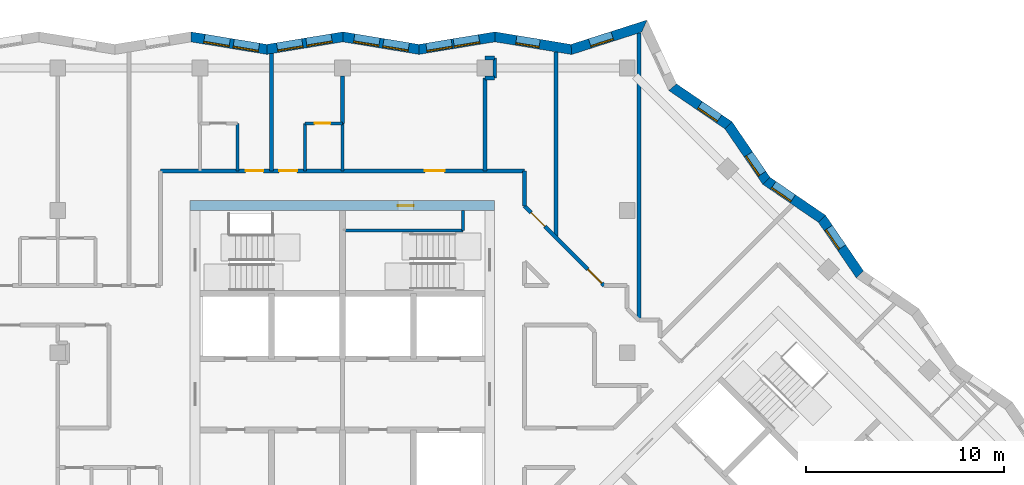
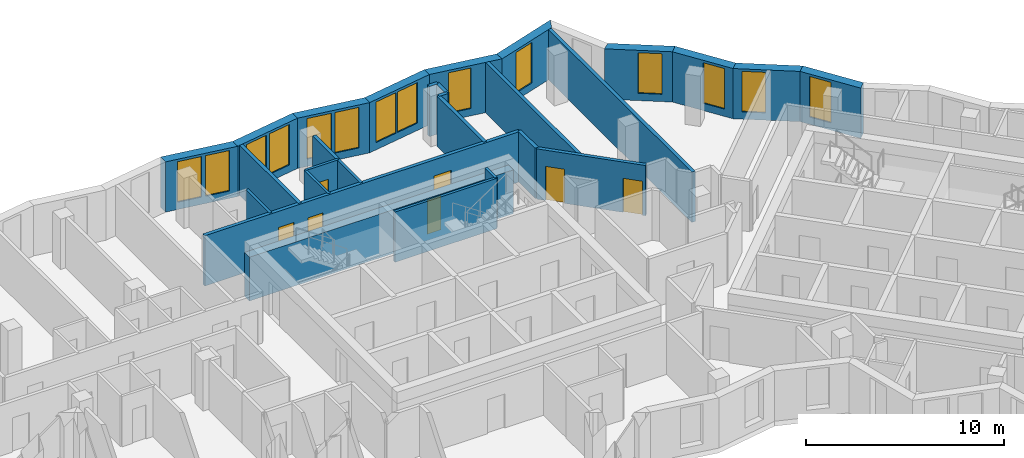
# One storey, part 7 of 12: 28 walls, 14 windows, 7 doors, 21 openings.
"""IFC4 building model written with IfcOpenShell, lengths in metres."""

from ifc_helpers import new_model, si_unit, direction, frame, frame_2d, origin, place, context, subcontext, project, spatial, polyline, rectangle, outline, extrude, material, layer, layer_set, type_object, element, fill, save


model = new_model("IFC4")

# Units and contexts
model_context = context("Model", 3, precision=1e-05, world=origin(), true_north=direction((0.0, 1.0)))
body_context = subcontext(model_context, "Body", "Model", "MODEL_VIEW")
ifc_project = project(units=[si_unit("LENGTHUNIT", "METRE"), si_unit("AREAUNIT", "SQUARE_METRE"), si_unit("VOLUMEUNIT", "CUBIC_METRE"), si_unit("PLANEANGLEUNIT", "RADIAN"), si_unit("MASSUNIT", "GRAM", prefix="KILO")], contexts=[model_context])

# Site, building, storey
site_placement = place(None, origin())
site = spatial("IfcSite", under=ifc_project, at=site_placement, CompositionType="ELEMENT")
building_placement = place(site_placement, origin())
building = spatial("IfcBuilding", under=site, at=building_placement, Name="Windrow Commons", CompositionType="ELEMENT")
storey_placement = place(building_placement, frame((0.0, 0.0, 227.0)))
storey = spatial("IfcBuildingStorey", under=building, at=storey_placement, Name="L62", CompositionType="ELEMENT", Elevation=227.0)

# Wall, opening, window
ifc_material_1 = material(Name="Brick masonry, red clay brick", Category="masonry")
ifc_layer_1 = layer(ifc_material_1, 0.5)
ifc_layer_set_1 = layer_set([ifc_layer_1], Name="Brick facade wall 500")
wall_type_1 = type_object("IfcWallType", Name="Brick facade wall 500", PredefinedType="SOLIDWALL", material=ifc_layer_set_1)
wall_1_placement = place(storey_placement, frame((90.9664, 61.5709, 0.0), z_axis=(0.0, 0.0, 1.0), x_axis=(-0.5638295531, 0.8258911763, 0.0)))
wall_1 = element("IfcWall", 1, at=wall_1_placement, inside=storey, type_object=wall_type_1, Name="Brick facade wall L62 12", PredefinedType="SOLIDWALL", context=body_context, shape_type="SweptSolid", body=[
    extrude(outline(polyline([(0.0471, -0.25), (3.4471, -0.25), (3.3528, 0.25), (-0.0471, 0.25), (0.0471, -0.25)])), origin(), (0.0, 0.0, 1.0), 3.1),
])
opening_1_placement = place(wall_1_placement, frame((1.6351, 0.0, 0.45)))
opening_1 = element("IfcOpeningElement", 2, at=opening_1_placement, cuts=wall_1, Name="Opening W7E", PredefinedType="OPENING", context=body_context, shape_type="SweptSolid", body=[
    extrude(rectangle(XDim=1.2, YDim=2.5, at=frame_2d((0.6, 1.25))), frame((0.0, 0.26, 0.0), z_axis=(0.0, -1.0, 0.0), x_axis=(1.0, 0.0, 0.0)), (0.0, 0.0, 1.0), 0.52),
])
ifc_material_2 = material(Name="Clear float glass in anodised aluminium frame", Category="aluminium")
window_type_1 = type_object("IfcWindowType", Name="Window W7 notch 1200x2500", PartitioningType="SINGLE_PANEL", PredefinedType="WINDOW", material=ifc_material_2)
window_1_placement = place(opening_1_placement, origin())
window_1 = element("IfcWindow", 3, at=window_1_placement, inside=storey, type_object=window_type_1, Name="Window L62 12.1", OverallHeight=2.5, OverallWidth=1.2, PartitioningType="SINGLE_PANEL", PredefinedType="WINDOW", context=body_context, shape_type="SweptSolid", body=[
    extrude(rectangle(XDim=1.2, YDim=2.5, at=frame_2d((0.6, 1.25))), frame((0.0, 0.18, 0.0), z_axis=(0.0, -1.0, 0.0), x_axis=(1.0, 0.0, 0.0)), (0.0, 0.0, 1.0), 0.06),
])
fill(opening_1, window_1)

wall_2_placement = place(storey_placement, frame((89.0494, 64.3789, 0.0), z_axis=(0.0, 0.0, 1.0), x_axis=(-0.8258911763, 0.5638295531, 0.0)))
wall_2 = element("IfcWall", 4, at=wall_2_placement, inside=storey, type_object=wall_type_1, Name="Brick facade wall L62 13", PredefinedType="SOLIDWALL", context=body_context, shape_type="SweptSolid", body=[
    extrude(outline(polyline([(-0.0471, -0.25), (3.3528, -0.25), (3.4471, 0.25), (0.0471, 0.25), (-0.0471, -0.25)])), origin(), (0.0, 0.0, 1.0), 3.1),
])
opening_2_placement = place(wall_2_placement, frame((1.7904, 0.0, 0.45)))
opening_2 = element("IfcOpeningElement", 5, at=opening_2_placement, cuts=wall_2, Name="Opening W7E", PredefinedType="OPENING", context=body_context, shape_type="SweptSolid", body=[
    extrude(rectangle(XDim=1.2, YDim=2.5, at=frame_2d((0.6, 1.25))), frame((0.0, 0.26, 0.0), z_axis=(0.0, -1.0, 0.0), x_axis=(1.0, 0.0, 0.0)), (0.0, 0.0, 1.0), 0.52),
])
window_2_placement = place(opening_2_placement, origin())
window_2 = element("IfcWindow", 6, at=window_2_placement, inside=storey, type_object=window_type_1, Name="Window L62 13.1", OverallHeight=2.5, OverallWidth=1.2, PartitioningType="SINGLE_PANEL", PredefinedType="WINDOW", context=body_context, shape_type="SweptSolid", body=[
    extrude(rectangle(XDim=1.2, YDim=2.5, at=frame_2d((0.6, 1.25))), frame((0.0, 0.18, 0.0), z_axis=(0.0, -1.0, 0.0), x_axis=(1.0, 0.0, 0.0)), (0.0, 0.0, 1.0), 0.06),
])
fill(opening_2, window_2)

wall_3_placement = place(storey_placement, frame((86.2414, 66.2959, 0.0), z_axis=(0.0, 0.0, 1.0), x_axis=(-0.5638295531, 0.8258911763, 0.0)))
wall_3 = element("IfcWall", 7, at=wall_3_placement, inside=storey, type_object=wall_type_1, Name="Brick facade wall L62 14", PredefinedType="SOLIDWALL", context=body_context, shape_type="SweptSolid", body=[
    extrude(outline(polyline([(0.0471, -0.25), (3.4471, -0.25), (3.3528, 0.25), (-0.0471, 0.25), (0.0471, -0.25)])), origin(), (0.0, 0.0, 1.0), 3.1),
])
opening_3_placement = place(wall_3_placement, frame((0.4222, 0.0, 0.45)))
opening_3 = element("IfcOpeningElement", 8, at=opening_3_placement, cuts=wall_3, Name="Opening W7E", PredefinedType="OPENING", context=body_context, shape_type="SweptSolid", body=[
    extrude(rectangle(XDim=1.2, YDim=2.5, at=frame_2d((0.6, 1.25))), frame((0.0, 0.26, 0.0), z_axis=(0.0, -1.0, 0.0), x_axis=(1.0, 0.0, 0.0)), (0.0, 0.0, 1.0), 0.52),
])
window_3_placement = place(opening_3_placement, origin())
window_3 = element("IfcWindow", 9, at=window_3_placement, inside=storey, type_object=window_type_1, Name="Window L62 14.1", OverallHeight=2.5, OverallWidth=1.2, PartitioningType="SINGLE_PANEL", PredefinedType="WINDOW", context=body_context, shape_type="SweptSolid", body=[
    extrude(rectangle(XDim=1.2, YDim=2.5, at=frame_2d((0.6, 1.25))), frame((0.0, 0.18, 0.0), z_axis=(0.0, -1.0, 0.0), x_axis=(1.0, 0.0, 0.0)), (0.0, 0.0, 1.0), 0.06),
])
fill(opening_3, window_3)

wall_4_placement = place(storey_placement, frame((84.3244, 69.1039, 0.0), z_axis=(0.0, 0.0, 1.0), x_axis=(-0.8258988964, 0.5638182445, 0.0)))
wall_4 = element("IfcWall", 10, at=wall_4_placement, inside=storey, type_object=wall_type_1, Name="Brick facade wall L62 15", PredefinedType="SOLIDWALL", context=body_context, shape_type="SweptSolid", body=[
    extrude(outline(polyline([(-0.0471, -0.25), (3.3528, -0.25), (3.491, 0.25), (0.0471, 0.25), (-0.0471, -0.25)])), origin(), (0.0, 0.0, 1.0), 3.1),
])
opening_4_placement = place(wall_4_placement, frame((0.5775, 0.0, 0.45)))
opening_4 = element("IfcOpeningElement", 11, at=opening_4_placement, cuts=wall_4, Name="Opening W7E", PredefinedType="OPENING", context=body_context, shape_type="SweptSolid", body=[
    extrude(rectangle(XDim=1.2, YDim=2.5, at=frame_2d((0.6, 1.25))), frame((0.0, 0.26, 0.0), z_axis=(0.0, -1.0, 0.0), x_axis=(1.0, 0.0, 0.0)), (0.0, 0.0, 1.0), 0.52),
])
window_4_placement = place(opening_4_placement, origin())
window_4 = element("IfcWindow", 12, at=window_4_placement, inside=storey, type_object=window_type_1, Name="Window L62 15.1", OverallHeight=2.5, OverallWidth=1.2, PartitioningType="SINGLE_PANEL", PredefinedType="WINDOW", context=body_context, shape_type="SweptSolid", body=[
    extrude(rectangle(XDim=1.2, YDim=2.5, at=frame_2d((0.6, 1.25))), frame((0.0, 0.18, 0.0), z_axis=(0.0, -1.0, 0.0), x_axis=(1.0, 0.0, 0.0)), (0.0, 0.0, 1.0), 0.06),
])
fill(opening_4, window_4)

wall_5_placement = place(storey_placement, frame((80.0693, 74.1274, 0.0), z_axis=(0.0, 0.0, 1.0), x_axis=(-0.9522470121, -0.3053287213, 0.0)))
wall_5 = element("IfcWall", 13, at=wall_5_placement, inside=storey, type_object=wall_type_1, Name="Brick facade wall L62 17", PredefinedType="SOLIDWALL", context=body_context, shape_type="SweptSolid", body=[
    extrude(outline(polyline([(-0.2211, -0.25), (3.8172, -0.25), (3.9378, 0.25), (0.2211, 0.25), (-0.2211, -0.25)])), origin(), (0.0, 0.0, 1.0), 3.1),
])
opening_5_placement = place(wall_5_placement, frame((1.6952, 0.0, 0.45)))
opening_5 = element("IfcOpeningElement", 14, at=opening_5_placement, cuts=wall_5, Name="Opening W7E", PredefinedType="OPENING", context=body_context, shape_type="SweptSolid", body=[
    extrude(rectangle(XDim=1.2, YDim=2.5, at=frame_2d((0.6, 1.25))), frame((0.0, 0.26, 0.0), z_axis=(0.0, -1.0, 0.0), x_axis=(1.0, 0.0, 0.0)), (0.0, 0.0, 1.0), 0.52),
])
window_5_placement = place(opening_5_placement, origin())
window_5 = element("IfcWindow", 15, at=window_5_placement, inside=storey, type_object=window_type_1, Name="Window L62 17.1", OverallHeight=2.5, OverallWidth=1.2, PartitioningType="SINGLE_PANEL", PredefinedType="WINDOW", context=body_context, shape_type="SweptSolid", body=[
    extrude(rectangle(XDim=1.2, YDim=2.5, at=frame_2d((0.6, 1.25))), frame((0.0, 0.18, 0.0), z_axis=(0.0, -1.0, 0.0), x_axis=(1.0, 0.0, 0.0)), (0.0, 0.0, 1.0), 0.06),
])
fill(opening_5, window_5)

wall_6_placement = place(storey_placement, frame((76.377, 72.9435, 0.0), z_axis=(0.0, 0.0, 1.0), x_axis=(-0.9867218052, 0.1624194546, 0.0)))
wall_6 = element("IfcWall", 16, at=wall_6_placement, inside=storey, type_object=wall_type_1, Name="Brick facade wall L62 18", PredefinedType="SOLIDWALL", context=body_context, shape_type="SweptSolid", body=[
    extrude(outline(polyline([(0.0603, -0.25), (3.9575, -0.25), (3.8752, 0.25), (-0.0603, 0.25), (0.0603, -0.25)])), origin(), (0.0, 0.0, 1.0), 3.1),
])
opening_6_placement = place(wall_6_placement, frame((1.6313, 0.0, 0.45)))
opening_6 = element("IfcOpeningElement", 17, at=opening_6_placement, cuts=wall_6, Name="Opening W7E", PredefinedType="OPENING", context=body_context, shape_type="SweptSolid", body=[
    extrude(rectangle(XDim=1.2, YDim=2.5, at=frame_2d((0.6, 1.25))), frame((0.0, 0.26, 0.0), z_axis=(0.0, -1.0, 0.0), x_axis=(1.0, 0.0, 0.0)), (0.0, 0.0, 1.0), 0.52),
])
window_6_placement = place(opening_6_placement, origin())
window_6 = element("IfcWindow", 18, at=window_6_placement, inside=storey, type_object=window_type_1, Name="Window L62 18.1", OverallHeight=2.5, OverallWidth=1.2, PartitioningType="SINGLE_PANEL", PredefinedType="WINDOW", context=body_context, shape_type="SweptSolid", body=[
    extrude(rectangle(XDim=1.2, YDim=2.5, at=frame_2d((0.6, 1.25))), frame((0.0, 0.18, 0.0), z_axis=(0.0, -1.0, 0.0), x_axis=(1.0, 0.0, 0.0)), (0.0, 0.0, 1.0), 0.06),
])
fill(opening_6, window_6)

# Wall, openings, windows
wall_7_placement = place(storey_placement, frame((72.5126, 73.5796, 0.0), z_axis=(0.0, 0.0, 1.0), x_axis=(-0.9867206744, -0.1624263241, 0.0)))
wall_7 = element("IfcWall", 19, at=wall_7_placement, inside=storey, type_object=wall_type_1, Name="Brick facade wall L62 19", PredefinedType="SOLIDWALL", context=body_context, shape_type="SweptSolid", body=[
    extrude(outline(polyline([(-0.0412, -0.25), (3.8561, -0.25), (3.9384, 0.25), (0.0412, 0.25), (-0.0412, -0.25)])), origin(), (0.0, 0.0, 1.0), 3.1),
])
opening_7_placement = place(wall_7_placement, frame((0.8084, 0.0, 0.45)))
opening_7 = element("IfcOpeningElement", 20, at=opening_7_placement, cuts=wall_7, Name="Opening W1Q", PredefinedType="OPENING", context=body_context, shape_type="SweptSolid", body=[
    extrude(rectangle(XDim=1.3, YDim=2.5, at=frame_2d((0.65, 1.25))), frame((0.0, 0.26, 0.0), z_axis=(0.0, -1.0, 0.0), x_axis=(1.0, 0.0, 0.0)), (0.0, 0.0, 1.0), 0.52),
])
opening_8_placement = place(wall_7_placement, frame((2.2084, 0.0, 0.45)))
opening_8 = element("IfcOpeningElement", 21, at=opening_8_placement, cuts=wall_7, Name="Opening W1Q", PredefinedType="OPENING", context=body_context, shape_type="SweptSolid", body=[
    extrude(rectangle(XDim=1.3, YDim=2.5, at=frame_2d((0.65, 1.25))), frame((0.0, 0.26, 0.0), z_axis=(0.0, -1.0, 0.0), x_axis=(1.0, 0.0, 0.0)), (0.0, 0.0, 1.0), 0.52),
])
ifc_material_3 = material(Name="Clear float glass in anodised aluminium frame", Category="aluminium")
window_type_2 = type_object("IfcWindowType", Name="Window W1Q pair 1300x2500", PartitioningType="SINGLE_PANEL", PredefinedType="WINDOW", material=ifc_material_3)
window_7_placement = place(opening_7_placement, origin())
window_7 = element("IfcWindow", 22, at=window_7_placement, inside=storey, type_object=window_type_2, Name="Window L62 19.1A", OverallHeight=2.5, OverallWidth=1.3, PartitioningType="SINGLE_PANEL", PredefinedType="WINDOW", context=body_context, shape_type="SweptSolid", body=[
    extrude(rectangle(XDim=1.3, YDim=2.5, at=frame_2d((0.65, 1.25))), frame((0.0, 0.18, 0.0), z_axis=(0.0, -1.0, 0.0), x_axis=(1.0, 0.0, 0.0)), (0.0, 0.0, 1.0), 0.06),
])
fill(opening_7, window_7)
window_8_placement = place(opening_8_placement, origin())
window_8 = element("IfcWindow", 23, at=window_8_placement, inside=storey, type_object=window_type_2, Name="Window L62 19.1B", OverallHeight=2.5, OverallWidth=1.3, PartitioningType="SINGLE_PANEL", PredefinedType="WINDOW", context=body_context, shape_type="SweptSolid", body=[
    extrude(rectangle(XDim=1.3, YDim=2.5, at=frame_2d((0.65, 1.25))), frame((0.0, 0.18, 0.0), z_axis=(0.0, -1.0, 0.0), x_axis=(1.0, 0.0, 0.0)), (0.0, 0.0, 1.0), 0.06),
])
fill(opening_8, window_8)

wall_8_placement = place(storey_placement, frame((68.6672, 72.9466, 0.0), z_axis=(0.0, 0.0, 1.0), x_axis=(-0.9867213513, 0.1624222118, 0.0)))
wall_8 = element("IfcWall", 24, at=wall_8_placement, inside=storey, type_object=wall_type_1, Name="Brick facade wall L62 20", PredefinedType="SOLIDWALL", context=body_context, shape_type="SweptSolid", body=[
    extrude(outline(polyline([(0.0412, -0.25), (3.9384, -0.25), (3.8561, 0.25), (-0.0412, 0.25), (0.0412, -0.25)])), origin(), (0.0, 0.0, 1.0), 3.1),
])
opening_9_placement = place(wall_8_placement, frame((0.528, 0.0, 0.45)))
opening_9 = element("IfcOpeningElement", 25, at=opening_9_placement, cuts=wall_8, Name="Opening W1Q", PredefinedType="OPENING", context=body_context, shape_type="SweptSolid", body=[
    extrude(rectangle(XDim=1.3, YDim=2.5, at=frame_2d((0.65, 1.25))), frame((0.0, 0.26, 0.0), z_axis=(0.0, -1.0, 0.0), x_axis=(1.0, 0.0, 0.0)), (0.0, 0.0, 1.0), 0.52),
])
opening_10_placement = place(wall_8_placement, frame((2.028, 0.0, 0.45)))
opening_10 = element("IfcOpeningElement", 26, at=opening_10_placement, cuts=wall_8, Name="Opening W1Q", PredefinedType="OPENING", context=body_context, shape_type="SweptSolid", body=[
    extrude(rectangle(XDim=1.3, YDim=2.5, at=frame_2d((0.65, 1.25))), frame((0.0, 0.26, 0.0), z_axis=(0.0, -1.0, 0.0), x_axis=(1.0, 0.0, 0.0)), (0.0, 0.0, 1.0), 0.52),
])
window_9_placement = place(opening_9_placement, origin())
window_9 = element("IfcWindow", 27, at=window_9_placement, inside=storey, type_object=window_type_2, Name="Window L62 20.1A", OverallHeight=2.5, OverallWidth=1.3, PartitioningType="SINGLE_PANEL", PredefinedType="WINDOW", context=body_context, shape_type="SweptSolid", body=[
    extrude(rectangle(XDim=1.3, YDim=2.5, at=frame_2d((0.65, 1.25))), frame((0.0, 0.18, 0.0), z_axis=(0.0, -1.0, 0.0), x_axis=(1.0, 0.0, 0.0)), (0.0, 0.0, 1.0), 0.06),
])
fill(opening_9, window_9)
window_10_placement = place(opening_10_placement, origin())
window_10 = element("IfcWindow", 28, at=window_10_placement, inside=storey, type_object=window_type_2, Name="Window L62 20.1B", OverallHeight=2.5, OverallWidth=1.3, PartitioningType="SINGLE_PANEL", PredefinedType="WINDOW", context=body_context, shape_type="SweptSolid", body=[
    extrude(rectangle(XDim=1.3, YDim=2.5, at=frame_2d((0.65, 1.25))), frame((0.0, 0.18, 0.0), z_axis=(0.0, -1.0, 0.0), x_axis=(1.0, 0.0, 0.0)), (0.0, 0.0, 1.0), 0.06),
])
fill(opening_10, window_10)

wall_9_placement = place(storey_placement, frame((64.8217, 73.5796, 0.0), z_axis=(0.0, 0.0, 1.0), x_axis=(-0.9867213513, -0.1624222118, 0.0)))
wall_9 = element("IfcWall", 29, at=wall_9_placement, inside=storey, type_object=wall_type_1, Name="Brick facade wall L62 21", PredefinedType="SOLIDWALL", context=body_context, shape_type="SweptSolid", body=[
    extrude(outline(polyline([(-0.0412, -0.25), (3.8561, -0.25), (3.9384, 0.25), (0.0412, 0.25), (-0.0412, -0.25)])), origin(), (0.0, 0.0, 1.0), 3.1),
])
opening_11_placement = place(wall_9_placement, frame((0.5692, 0.0, 0.45)))
opening_11 = element("IfcOpeningElement", 30, at=opening_11_placement, cuts=wall_9, Name="Opening W1Q", PredefinedType="OPENING", context=body_context, shape_type="SweptSolid", body=[
    extrude(rectangle(XDim=1.3, YDim=2.5, at=frame_2d((0.65, 1.25))), frame((0.0, 0.26, 0.0), z_axis=(0.0, -1.0, 0.0), x_axis=(1.0, 0.0, 0.0)), (0.0, 0.0, 1.0), 0.52),
])
opening_12_placement = place(wall_9_placement, frame((2.0692, 0.0, 0.45)))
opening_12 = element("IfcOpeningElement", 31, at=opening_12_placement, cuts=wall_9, Name="Opening W1Q", PredefinedType="OPENING", context=body_context, shape_type="SweptSolid", body=[
    extrude(rectangle(XDim=1.3, YDim=2.5, at=frame_2d((0.65, 1.25))), frame((0.0, 0.26, 0.0), z_axis=(0.0, -1.0, 0.0), x_axis=(1.0, 0.0, 0.0)), (0.0, 0.0, 1.0), 0.52),
])
window_11_placement = place(opening_11_placement, origin())
window_11 = element("IfcWindow", 32, at=window_11_placement, inside=storey, type_object=window_type_2, Name="Window L62 21.1A", OverallHeight=2.5, OverallWidth=1.3, PartitioningType="SINGLE_PANEL", PredefinedType="WINDOW", context=body_context, shape_type="SweptSolid", body=[
    extrude(rectangle(XDim=1.3, YDim=2.5, at=frame_2d((0.65, 1.25))), frame((0.0, 0.18, 0.0), z_axis=(0.0, -1.0, 0.0), x_axis=(1.0, 0.0, 0.0)), (0.0, 0.0, 1.0), 0.06),
])
fill(opening_11, window_11)
window_12_placement = place(opening_12_placement, origin())
window_12 = element("IfcWindow", 33, at=window_12_placement, inside=storey, type_object=window_type_2, Name="Window L62 21.1B", OverallHeight=2.5, OverallWidth=1.3, PartitioningType="SINGLE_PANEL", PredefinedType="WINDOW", context=body_context, shape_type="SweptSolid", body=[
    extrude(rectangle(XDim=1.3, YDim=2.5, at=frame_2d((0.65, 1.25))), frame((0.0, 0.18, 0.0), z_axis=(0.0, -1.0, 0.0), x_axis=(1.0, 0.0, 0.0)), (0.0, 0.0, 1.0), 0.06),
])
fill(opening_12, window_12)

wall_10_placement = place(storey_placement, frame((60.9762, 72.9466, 0.0), z_axis=(0.0, 0.0, 1.0), x_axis=(-0.9867206744, 0.1624263241, 0.0)))
wall_10 = element("IfcWall", 34, at=wall_10_placement, inside=storey, type_object=wall_type_1, Name="Brick facade wall L62 22", PredefinedType="SOLIDWALL", context=body_context, shape_type="SweptSolid", body=[
    extrude(outline(polyline([(0.0412, -0.25), (3.9384, -0.25), (3.8561, 0.25), (-0.0412, 0.25), (0.0412, -0.25)])), origin(), (0.0, 0.0, 1.0), 3.1),
])
opening_13_placement = place(wall_10_placement, frame((0.4108, 0.0, 0.45)))
opening_13 = element("IfcOpeningElement", 35, at=opening_13_placement, cuts=wall_10, Name="Opening W1Q", PredefinedType="OPENING", context=body_context, shape_type="SweptSolid", body=[
    extrude(rectangle(XDim=1.3, YDim=2.5, at=frame_2d((0.65, 1.25))), frame((0.0, 0.26, 0.0), z_axis=(0.0, -1.0, 0.0), x_axis=(1.0, 0.0, 0.0)), (0.0, 0.0, 1.0), 0.52),
])
opening_14_placement = place(wall_10_placement, frame((1.9108, 0.0, 0.45)))
opening_14 = element("IfcOpeningElement", 36, at=opening_14_placement, cuts=wall_10, Name="Opening W1Q", PredefinedType="OPENING", context=body_context, shape_type="SweptSolid", body=[
    extrude(rectangle(XDim=1.3, YDim=2.5, at=frame_2d((0.65, 1.25))), frame((0.0, 0.26, 0.0), z_axis=(0.0, -1.0, 0.0), x_axis=(1.0, 0.0, 0.0)), (0.0, 0.0, 1.0), 0.52),
])
window_13_placement = place(opening_13_placement, origin())
window_13 = element("IfcWindow", 37, at=window_13_placement, inside=storey, type_object=window_type_2, Name="Window L62 22.1A", OverallHeight=2.5, OverallWidth=1.3, PartitioningType="SINGLE_PANEL", PredefinedType="WINDOW", context=body_context, shape_type="SweptSolid", body=[
    extrude(rectangle(XDim=1.3, YDim=2.5, at=frame_2d((0.65, 1.25))), frame((0.0, 0.18, 0.0), z_axis=(0.0, -1.0, 0.0), x_axis=(1.0, 0.0, 0.0)), (0.0, 0.0, 1.0), 0.06),
])
fill(opening_13, window_13)
window_14_placement = place(opening_14_placement, origin())
window_14 = element("IfcWindow", 38, at=window_14_placement, inside=storey, type_object=window_type_2, Name="Window L62 22.1B", OverallHeight=2.5, OverallWidth=1.3, PartitioningType="SINGLE_PANEL", PredefinedType="WINDOW", context=body_context, shape_type="SweptSolid", body=[
    extrude(rectangle(XDim=1.3, YDim=2.5, at=frame_2d((0.65, 1.25))), frame((0.0, 0.18, 0.0), z_axis=(0.0, -1.0, 0.0), x_axis=(1.0, 0.0, 0.0)), (0.0, 0.0, 1.0), 0.06),
])
fill(opening_14, window_14)

# Wall, openings, doors
ifc_material_4 = material(Name="Blockwork partition", Category="masonry")
ifc_layer_2 = layer(ifc_material_4, 0.2)
ifc_layer_set_2 = layer_set([ifc_layer_2], Name="IW-CORRIDOR-200")
wall_type_2 = type_object("IfcWallType", Name="IW-CORRIDOR-200", PredefinedType="PARTITIONING", material=ifc_layer_set_2)
wall_11_placement = place(storey_placement, frame((55.6, 66.8, 0.0), z_axis=(0.0, 0.0, 1.0), x_axis=(1.0, 0.0, 0.0)))
wall_11 = element("IfcWall", 39, at=wall_11_placement, inside=storey, type_object=wall_type_2, Name="W-L62-W001", PredefinedType="PARTITIONING", context=body_context, shape_type="SweptSolid", body=[
    extrude(rectangle(XDim=18.4, YDim=0.2, at=frame_2d((9.2, 0.0))), origin(), (0.0, 0.0, 1.0), 3.1),
])
opening_15_placement = place(wall_11_placement, frame((4.3, 0.0, 0.0)))
opening_15 = element("IfcOpeningElement", 40, at=opening_15_placement, cuts=wall_11, Name="Opening D109S", PredefinedType="OPENING", context=body_context, shape_type="SweptSolid", body=[
    extrude(rectangle(XDim=0.9, YDim=2.1, at=frame_2d((0.45, 1.05))), frame((0.0, 0.11, 0.0), z_axis=(0.0, -1.0, 0.0), x_axis=(1.0, 0.0, 0.0)), (0.0, 0.0, 1.0), 0.22),
])
opening_16_placement = place(wall_11_placement, frame((6.0, 0.0, 0.0)))
opening_16 = element("IfcOpeningElement", 41, at=opening_16_placement, cuts=wall_11, Name="Opening D109S", PredefinedType="OPENING", context=body_context, shape_type="SweptSolid", body=[
    extrude(rectangle(XDim=0.9, YDim=2.1, at=frame_2d((0.45, 1.05))), frame((0.0, 0.11, 0.0), z_axis=(0.0, -1.0, 0.0), x_axis=(1.0, 0.0, 0.0)), (0.0, 0.0, 1.0), 0.22),
])
opening_17_placement = place(wall_11_placement, frame((13.3675, 0.0, 0.0)))
opening_17 = element("IfcOpeningElement", 42, at=opening_17_placement, cuts=wall_11, Name="Opening D310F", PredefinedType="OPENING", context=body_context, shape_type="SweptSolid", body=[
    extrude(rectangle(XDim=1.0, YDim=2.1, at=frame_2d((0.5, 1.05))), frame((0.0, 0.11, 0.0), z_axis=(0.0, -1.0, 0.0), x_axis=(1.0, 0.0, 0.0)), (0.0, 0.0, 1.0), 0.22),
])
ifc_material_5 = material(Name="Timber door leaf", Category="wood")
door_type_1 = type_object("IfcDoorType", Name="DT-AMENITY-1000", OperationType="SINGLE_SWING_LEFT", PredefinedType="DOOR", material=ifc_material_5)
door_1_placement = place(opening_17_placement, origin())
door_1 = element("IfcDoor", 43, at=door_1_placement, inside=storey, type_object=door_type_1, Name="D-L62-D030", OperationType="SINGLE_SWING_RIGHT", OverallHeight=2.1, OverallWidth=1.0, PredefinedType="DOOR", context=body_context, shape_type="SweptSolid", body=[
    extrude(rectangle(XDim=1.0, YDim=2.1, at=frame_2d((0.5, 1.05))), frame((0.0, 0.025, 0.0), z_axis=(0.0, -1.0, 0.0), x_axis=(1.0, 0.0, 0.0)), (0.0, 0.0, 1.0), 0.05),
])
fill(opening_17, door_1)
ifc_material_6 = material(Name="Timber door leaf", Category="wood")
door_type_2 = type_object("IfcDoorType", Name="DT-BEDROOM-900", OperationType="SINGLE_SWING_LEFT", PredefinedType="DOOR", material=ifc_material_6)
door_2_placement = place(opening_15_placement, origin())
door_2 = element("IfcDoor", 44, at=door_2_placement, inside=storey, type_object=door_type_2, Name="D-L62-D026", OperationType="SINGLE_SWING_RIGHT", OverallHeight=2.1, OverallWidth=0.9, PredefinedType="DOOR", context=body_context, shape_type="SweptSolid", body=[
    extrude(rectangle(XDim=0.9, YDim=2.1, at=frame_2d((0.45, 1.05))), frame((0.0, 0.025, 0.0), z_axis=(0.0, -1.0, 0.0), x_axis=(1.0, 0.0, 0.0)), (0.0, 0.0, 1.0), 0.05),
])
fill(opening_15, door_2)
door_3_placement = place(opening_16_placement, origin())
door_3 = element("IfcDoor", 45, at=door_3_placement, inside=storey, type_object=door_type_2, Name="D-L62-D028", OperationType="SINGLE_SWING_LEFT", OverallHeight=2.1, OverallWidth=0.9, PredefinedType="DOOR", context=body_context, shape_type="SweptSolid", body=[
    extrude(rectangle(XDim=0.9, YDim=2.1, at=frame_2d((0.45, 1.05))), frame((0.0, 0.025, 0.0), z_axis=(0.0, -1.0, 0.0), x_axis=(1.0, 0.0, 0.0)), (0.0, 0.0, 1.0), 0.05),
])
fill(opening_16, door_3)

wall_12_placement = place(storey_placement, frame((73.9967, 65.0347, 0.0), z_axis=(0.0, 0.0, 1.0), x_axis=(0.7071067812, -0.7071067812, 0.0)))
wall_12 = element("IfcWall", 46, at=wall_12_placement, inside=storey, type_object=wall_type_2, Name="W-L62-W025", PredefinedType="PARTITIONING", context=body_context, shape_type="SweptSolid", body=[
    extrude(rectangle(XDim=5.7106, YDim=0.2, at=frame_2d((2.8553, 0.0))), origin(), (0.0, 0.0, 1.0), 3.1),
])
opening_18_placement = place(wall_12_placement, frame((0.4778, 0.0, 0.0)))
opening_18 = element("IfcOpeningElement", 47, at=opening_18_placement, cuts=wall_12, Name="Opening D310F", PredefinedType="OPENING", context=body_context, shape_type="SweptSolid", body=[
    extrude(rectangle(XDim=1.0, YDim=2.1, at=frame_2d((0.5, 1.05))), frame((0.0, 0.11, 0.0), z_axis=(0.0, -1.0, 0.0), x_axis=(1.0, 0.0, 0.0)), (0.0, 0.0, 1.0), 0.22),
])
opening_19_placement = place(wall_12_placement, frame((4.5376, 0.0, 0.0)))
opening_19 = element("IfcOpeningElement", 48, at=opening_19_placement, cuts=wall_12, Name="Opening D310F", PredefinedType="OPENING", context=body_context, shape_type="SweptSolid", body=[
    extrude(rectangle(XDim=1.0, YDim=2.1, at=frame_2d((0.5, 1.05))), frame((0.0, 0.11, 0.0), z_axis=(0.0, -1.0, 0.0), x_axis=(1.0, 0.0, 0.0)), (0.0, 0.0, 1.0), 0.22),
])
door_4_placement = place(opening_18_placement, origin())
door_4 = element("IfcDoor", 49, at=door_4_placement, inside=storey, type_object=door_type_1, Name="D-L62-D031", OperationType="SINGLE_SWING_RIGHT", OverallHeight=2.1, OverallWidth=1.0, PredefinedType="DOOR", context=body_context, shape_type="SweptSolid", body=[
    extrude(rectangle(XDim=1.0, YDim=2.1, at=frame_2d((0.5, 1.05))), frame((0.0, 0.025, 0.0), z_axis=(0.0, -1.0, 0.0), x_axis=(1.0, 0.0, 0.0)), (0.0, 0.0, 1.0), 0.05),
])
fill(opening_18, door_4)
door_5_placement = place(opening_19_placement, origin())
door_5 = element("IfcDoor", 50, at=door_5_placement, inside=storey, type_object=door_type_1, Name="D-L62-D032", OperationType="SINGLE_SWING_LEFT", OverallHeight=2.1, OverallWidth=1.0, PredefinedType="DOOR", context=body_context, shape_type="SweptSolid", body=[
    extrude(rectangle(XDim=1.0, YDim=2.1, at=frame_2d((0.5, 1.05))), frame((0.0, 0.025, 0.0), z_axis=(0.0, -1.0, 0.0), x_axis=(1.0, 0.0, 0.0)), (0.0, 0.0, 1.0), 0.05),
])
fill(opening_19, door_5)

# Walls
wall_13_placement = place(storey_placement, frame((74.0, 65.038, 0.0), z_axis=(0.0, 0.0, 1.0), x_axis=(0.0, 1.0, 0.0)))
element("IfcWall", 51, at=wall_13_placement, inside=storey, type_object=wall_type_2, Name="W-L62-W109", PredefinedType="PARTITIONING", context=body_context, shape_type="SweptSolid", body=[
    extrude(rectangle(XDim=1.762, YDim=0.2, at=frame_2d((0.881, 0.0))), origin(), (0.0, 0.0, 1.0), 3.1),
])
ifc_material_7 = material(Name="Blockwork partition", Category="masonry")
ifc_layer_3 = layer(ifc_material_7, 0.15)
ifc_layer_set_3 = layer_set([ifc_layer_3], Name="IW-ENSUITE-150")
wall_type_3 = type_object("IfcWallType", Name="IW-ENSUITE-150", PredefinedType="PARTITIONING", material=ifc_layer_set_3)
for number, where, z_axis, x_axis, name in (
    (52, (59.5, 66.8, 0.0), (0.0, 0.0, 1.0), (0.0, 1.0, 0.0), "W-L62-W065"),
    (53, (62.9, 66.8, 0.0), (0.0, 0.0, 1.0), (0.0, 1.0, 0.0), "W-L62-W066"),
    (54, (64.8, 66.8, 0.0), (0.0, 0.0, 1.0), (0.0, 1.0, 0.0), "W-L62-W067"),
):
    element("IfcWall", number, at=place(storey_placement, frame(where, z_axis=z_axis, x_axis=x_axis)), inside=storey, type_object=wall_type_3, Name=name, PredefinedType="PARTITIONING", context=body_context, shape_type="SweptSolid", body=[
        extrude(rectangle(XDim=2.4, YDim=0.15, at=frame_2d((1.2, 0.0))), origin(), (0.0, 0.0, 1.0), 3.1),
    ])

# Wall, opening, door
wall_14_placement = place(storey_placement, frame((62.9, 69.2, 0.0), z_axis=(0.0, 0.0, 1.0), x_axis=(1.0, 0.0, 0.0)))
wall_14 = element("IfcWall", 55, at=wall_14_placement, inside=storey, type_object=wall_type_3, Name="W-L62-W104", PredefinedType="PARTITIONING", context=body_context, shape_type="SweptSolid", body=[
    extrude(rectangle(XDim=1.9, YDim=0.15, at=frame_2d((0.95, 0.0))), origin(), (0.0, 0.0, 1.0), 3.1),
])
opening_20_placement = place(wall_14_placement, frame((0.4931, 0.0, 0.0)))
opening_20 = element("IfcOpeningElement", 56, at=opening_20_placement, cuts=wall_14, Name="Opening D208N", PredefinedType="OPENING", context=body_context, shape_type="SweptSolid", body=[
    extrude(rectangle(XDim=0.8, YDim=2.1, at=frame_2d((0.4, 1.05))), frame((0.0, 0.085, 0.0), z_axis=(0.0, -1.0, 0.0), x_axis=(1.0, 0.0, 0.0)), (0.0, 0.0, 1.0), 0.17),
])
ifc_material_8 = material(Name="Timber door leaf", Category="wood")
door_type_3 = type_object("IfcDoorType", Name="DT-ENSUITE-800", OperationType="SINGLE_SWING_LEFT", PredefinedType="DOOR", material=ifc_material_8)
door_6_placement = place(opening_20_placement, origin())
door_6 = element("IfcDoor", 57, at=door_6_placement, inside=storey, type_object=door_type_3, Name="D-L62-D029", OperationType="SINGLE_SWING_RIGHT", OverallHeight=2.1, OverallWidth=0.8, PredefinedType="DOOR", context=body_context, shape_type="SweptSolid", body=[
    extrude(rectangle(XDim=0.8, YDim=2.1, at=frame_2d((0.4, 1.05))), frame((0.0, 0.025, 0.0), z_axis=(0.0, -1.0, 0.0), x_axis=(1.0, 0.0, 0.0)), (0.0, 0.0, 1.0), 0.05),
])
fill(opening_20, door_6)

# Walls
ifc_material_9 = material(Name="Blockwork partition", Category="masonry")
ifc_layer_4 = layer(ifc_material_9, 0.2)
ifc_layer_set_4 = layer_set([ifc_layer_4], Name="IW-PARTY-200")
wall_type_4 = type_object("IfcWallType", Name="IW-PARTY-200", PredefinedType="PARTITIONING", material=ifc_layer_set_4)
wall_15_placement = place(storey_placement, frame((79.8, 59.25, 0.0), z_axis=(0.0, 0.0, 1.0), x_axis=(0.0, 1.0, 0.0)))
element("IfcWall", 58, at=wall_15_placement, inside=storey, type_object=wall_type_4, Name="W-L62-W004", PredefinedType="PARTITIONING", context=body_context, shape_type="SweptSolid", body=[
    extrude(rectangle(XDim=14.5285, YDim=0.2, at=frame_2d((7.2642, 0.0))), origin(), (0.0, 0.0, 1.0), 3.1),
])
wall_16_placement = place(storey_placement, frame((75.6, 63.438, 0.0), z_axis=(0.0, 0.0, 1.0), x_axis=(0.0, 1.0, 0.0)))
element("IfcWall", 59, at=wall_16_placement, inside=storey, type_object=wall_type_4, Name="W-L62-W010", PredefinedType="PARTITIONING", context=body_context, shape_type="SweptSolid", body=[
    extrude(rectangle(XDim=9.3801, YDim=0.2, at=frame_2d((4.6901, 0.0))), origin(), (0.0, 0.0, 1.0), 3.1),
])
wall_17_placement = place(storey_placement, frame((61.2, 66.8, 0.0), z_axis=(0.0, 0.0, 1.0), x_axis=(0.0, 1.0, 0.0)))
element("IfcWall", 60, at=wall_17_placement, inside=storey, type_object=wall_type_4, Name="W-L62-W021", PredefinedType="PARTITIONING", context=body_context, shape_type="SweptSolid", body=[
    extrude(rectangle(XDim=5.9301, YDim=0.2, at=frame_2d((2.9651, 0.0))), origin(), (0.0, 0.0, 1.0), 3.1),
])
wall_18_placement = place(storey_placement, frame((72.0, 66.8, 0.0), z_axis=(0.0, 0.0, 1.0), x_axis=(0.0, 1.0, 0.0)))
element("IfcWall", 61, at=wall_18_placement, inside=storey, type_object=wall_type_4, Name="W-L62-W035", PredefinedType="PARTITIONING", context=body_context, shape_type="SweptSolid", body=[
    extrude(rectangle(XDim=4.696, YDim=0.2, at=frame_2d((2.348, 0.0))), origin(), (0.0, 0.0, 1.0), 3.1),
])
wall_19_placement = place(storey_placement, frame((64.8, 69.2, 0.0), z_axis=(0.0, 0.0, 1.0), x_axis=(0.0, 1.0, 0.0)))
element("IfcWall", 62, at=wall_19_placement, inside=storey, type_object=wall_type_4, Name="W-L62-W085", PredefinedType="PARTITIONING", context=body_context, shape_type="SweptSolid", body=[
    extrude(rectangle(XDim=2.4, YDim=0.2, at=frame_2d((1.2, 0.0))), origin(), (0.0, 0.0, 1.0), 3.1),
])
wall_20_placement = place(storey_placement, frame((72.5, 71.496, 0.0), z_axis=(0.0, 0.0, 1.0), x_axis=(0.0, 1.0, 0.0)))
element("IfcWall", 63, at=wall_20_placement, inside=storey, type_object=wall_type_4, Name="W-L62-W122", PredefinedType="PARTITIONING", context=body_context, shape_type="SweptSolid", body=[
    extrude(rectangle(XDim=1.01, YDim=0.2, at=frame_2d((0.505, 0.0))), origin(), (0.0, 0.0, 1.0), 3.1),
])
for number, where, z_axis, x_axis, name in (
    (64, (72.0, 72.51, 0.0), (0.0, 0.0, 1.0), (1.0, 0.0, 0.0), "W-L62-W143"),
    (65, (72.0, 71.5, 0.0), (0.0, 0.0, 1.0), (1.0, 0.0, 0.0), "W-L62-W144"),
):
    element("IfcWall", number, at=place(storey_placement, frame(where, z_axis=z_axis, x_axis=x_axis)), inside=storey, type_object=wall_type_4, Name=name, PredefinedType="PARTITIONING", context=body_context, shape_type="SweptSolid", body=[
        extrude(rectangle(XDim=0.5, YDim=0.2, at=frame_2d((0.25, 0.0))), origin(), (0.0, 0.0, 1.0), 3.1),
    ])

# Wall, opening, door
ifc_material_10 = material(Name="Concrete C40/50", Category="concrete")
ifc_layer_5 = layer(ifc_material_10, 0.5)
ifc_layer_set_5 = layer_set([ifc_layer_5], Name="RC CORE WALL 500 C40/50")
wall_type_5 = type_object("IfcWallType", Name="RC CORE WALL 500 C40/50", PredefinedType="SHEAR", material=ifc_layer_set_5)
wall_21_placement = place(storey_placement, frame((57.1, 65.05, -0.3), z_axis=(0.0, 0.0, 1.0), x_axis=(1.0, 0.0, 0.0)))
wall_21 = element("IfcWall", 66, at=wall_21_placement, inside=storey, type_object=wall_type_5, Name="Core A wall outer-N", PredefinedType="SHEAR", context=body_context, shape_type="SweptSolid", body=[
    extrude(rectangle(XDim=15.4, YDim=0.5, at=frame_2d((7.7, 0.0))), origin(), (0.0, 0.0, 1.0), 2.7),
])
opening_21_placement = place(wall_21_placement, frame((10.5, 0.0, 0.3)))
opening_21 = element("IfcOpeningElement", 67, at=opening_21_placement, cuts=wall_21, Name="Opening D9", PredefinedType="OPENING", context=body_context, shape_type="SweptSolid", body=[
    extrude(rectangle(XDim=0.8, YDim=2.1, at=frame_2d((0.4, 1.05))), frame((0.0, 0.26, 0.0), z_axis=(0.0, -1.0, 0.0), x_axis=(1.0, 0.0, 0.0)), (0.0, 0.0, 1.0), 0.52),
])
ifc_material_11 = material(Name="Steel fire door leaf", Category="steel")
door_type_4 = type_object("IfcDoorType", Name="Riser access door 800", OperationType="SINGLE_SWING_LEFT", PredefinedType="DOOR", material=ifc_material_11)
door_7_placement = place(opening_21_placement, origin())
door_7 = element("IfcDoor", 68, at=door_7_placement, inside=storey, type_object=door_type_4, Name="Riser access door", OperationType="SINGLE_SWING_RIGHT", OverallHeight=2.1, OverallWidth=0.8, PredefinedType="DOOR", context=body_context, shape_type="SweptSolid", body=[
    extrude(rectangle(XDim=0.8, YDim=2.1, at=frame_2d((0.4, 1.05))), frame((0.0, 0.025, 0.0), z_axis=(0.0, -1.0, 0.0), x_axis=(1.0, 0.0, 0.0)), (0.0, 0.0, 1.0), 0.05),
])
fill(opening_21, door_7)

# Walls
ifc_material_12 = material(Name="Blockwork partition", Category="masonry")
ifc_layer_6 = layer(ifc_material_12, 0.15)
ifc_layer_set_6 = layer_set([ifc_layer_6], Name="Riser partition 150")
wall_type_6 = type_object("IfcWallType", Name="Riser partition 150", PredefinedType="PARTITIONING", material=ifc_layer_set_6)
wall_22_placement = place(storey_placement, frame((64.95, 63.78, 0.0), z_axis=(0.0, 0.0, 1.0), x_axis=(1.0, 0.0, 0.0)))
element("IfcWall", 69, at=wall_22_placement, inside=storey, type_object=wall_type_6, Name="W-core-strip-A-L62", PredefinedType="PARTITIONING", context=body_context, shape_type="SweptSolid", body=[
    extrude(rectangle(XDim=5.95, YDim=0.15, at=frame_2d((2.975, 0.0))), origin(), (0.0, 0.0, 1.0), 3.1),
])
wall_23_placement = place(storey_placement, frame((70.9, 63.78, 0.0), z_axis=(0.0, 0.0, 1.0), x_axis=(0.0, 1.0, 0.0)))
element("IfcWall", 70, at=wall_23_placement, inside=storey, type_object=wall_type_6, Name="W-core-stripx-A-L62-1", PredefinedType="PARTITIONING", context=body_context, shape_type="SweptSolid", body=[
    extrude(rectangle(XDim=1.02, YDim=0.15, at=frame_2d((0.51, 0.0))), origin(), (0.0, 0.0, 1.0), 3.1),
])

save(model, "model.ifc")
